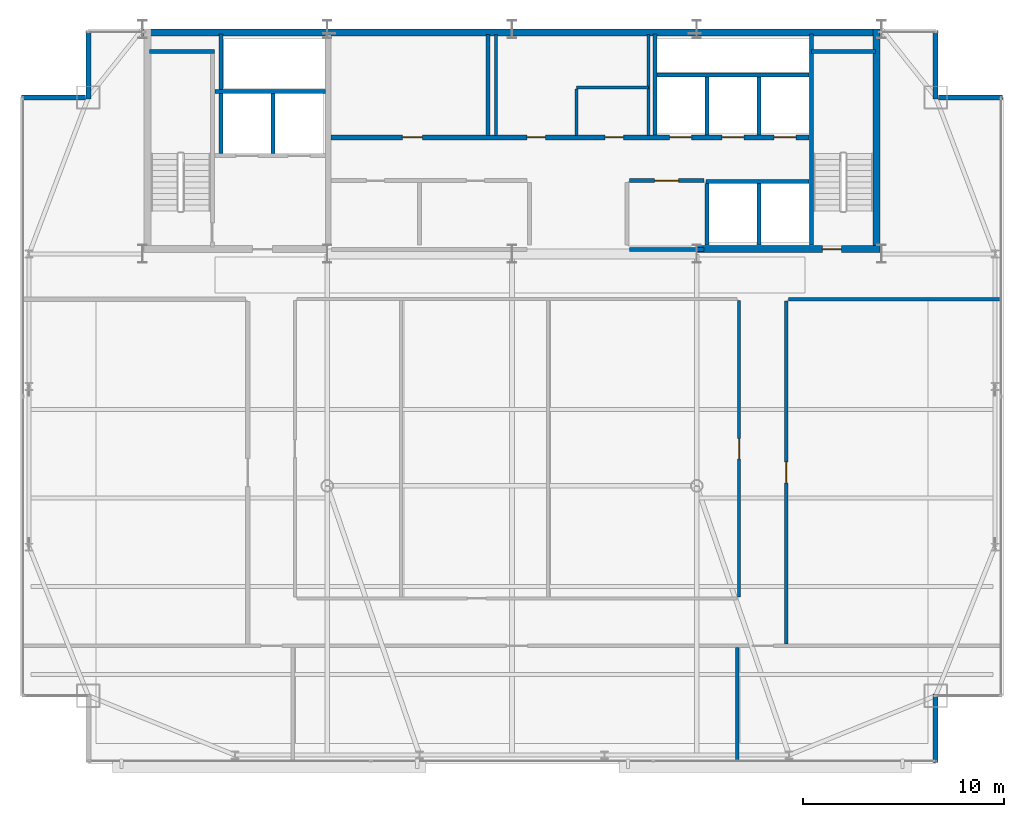
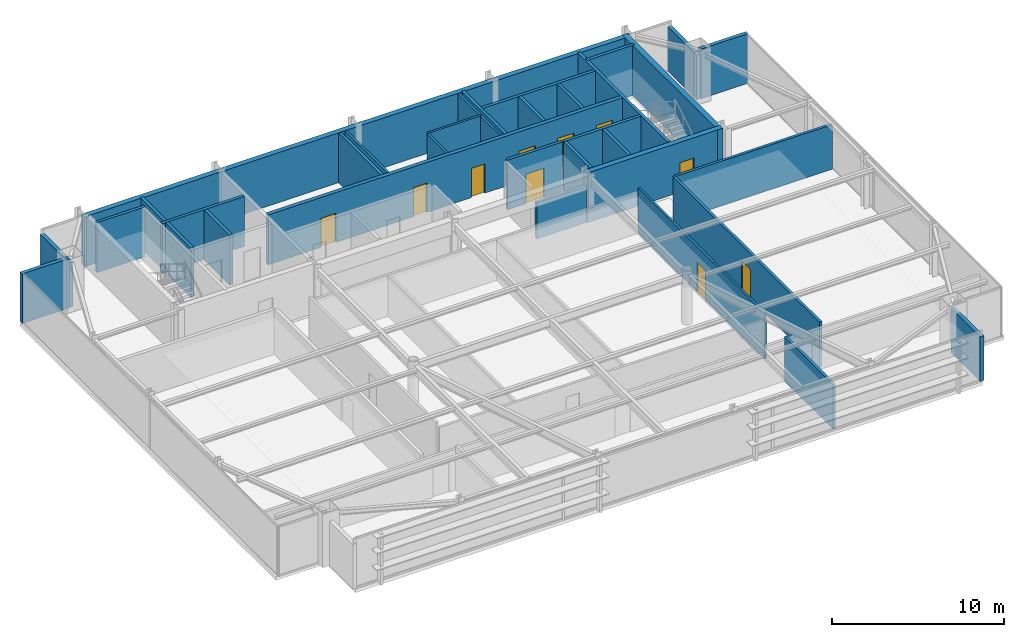
# One storey, part 23 of 25: 33 walls, 10 doors, 10 openings.
"""IFC4 building model written with IfcOpenShell, lengths in metres."""

from ifc_helpers import new_model, si_unit, direction, frame, frame_2d, origin, place, context, subcontext, project, spatial, rectangle, extrude, source, transform, mapped, material, layer, layer_set, type_object, type_shapes, element, fill, save


model = new_model("IFC4")

# Units and contexts
model_context = context("Model", 3, precision=1e-05, world=origin(), true_north=direction((0.0, 1.0)))
body_context = subcontext(model_context, "Body", "Model", "MODEL_VIEW")
ifc_project = project(units=[si_unit("LENGTHUNIT", "METRE"), si_unit("AREAUNIT", "SQUARE_METRE"), si_unit("VOLUMEUNIT", "CUBIC_METRE"), si_unit("PLANEANGLEUNIT", "RADIAN"), si_unit("MASSUNIT", "GRAM", prefix="KILO")], contexts=[model_context])

# Site, building, storey
site_placement = place(None, origin())
site = spatial("IfcSite", under=ifc_project, at=site_placement, CompositionType="ELEMENT")
building_placement = place(site_placement, origin())
building = spatial("IfcBuilding", under=site, at=building_placement, Name="Varnel Quay Broadcast Tower", CompositionType="ELEMENT")
storey_placement = place(building_placement, frame((0.0, 0.0, 226.39990234375)))
storey = spatial("IfcBuildingStorey", under=building, at=storey_placement, Name="L56", CompositionType="ELEMENT", Elevation=226.39990234375)

# Walls
ifc_material_1 = material(Name="Concrete CSA A23.3 C50/60", Category="concrete")
ifc_layer_1 = layer(ifc_material_1, 0.199951171875, Name="Concrete CSA A23.3 C50/60")
ifc_layer_set_1 = layer_set([ifc_layer_1], Name="Concrete CSA A23.3 C50/60")
wall_type_1 = type_object("IfcWallType", Name="Wall_CoreShaftShear200", PredefinedType="SHEAR", material=ifc_layer_set_1)
wall_1_placement = place(storey_placement, frame((15.949951171875, 45.679931640625, 0.0), z_axis=(0.0, 0.0, 1.0), x_axis=(1.0, 0.0, 0.0)))
element("IfcWall", 1, at=wall_1_placement, inside=storey, type_object=wall_type_1, Name="L56 Stair 1 North Structural Wall", PredefinedType="SHEAR", context=body_context, shape_type="SweptSolid", body=[
    extrude(rectangle(XDim=3.22998046875, YDim=0.199951171875, at=frame_2d((1.614990234375, 0.0))), origin(), (0.0, 0.0, 1.0), 3.550048828125),
])
wall_2_placement = place(storey_placement, frame((19.199951171875, 43.699951171875, 0.0), z_axis=(0.0, 0.0, 1.0), x_axis=(1.0, 0.0, 0.0)))
element("IfcWall", 2, at=wall_2_placement, inside=storey, type_object=wall_type_1, Name="L56 Firefighter Lift Shaft Rear Wall", PredefinedType="SHEAR", context=body_context, shape_type="SweptSolid", body=[
    extrude(rectangle(XDim=5.52001953125, YDim=0.199951171875, at=frame_2d((2.760009765625, 0.0))), origin(), (0.0, 0.0, 1.0), 3.550048828125),
])
wall_3_placement = place(storey_placement, frame((22.10009765625, 40.60009765625, 0.0), z_axis=(0.0, 0.0, 1.0), x_axis=(0.0, 1.0, 0.0)))
element("IfcWall", 3, at=wall_3_placement, inside=storey, type_object=wall_type_1, Name="L56 Firefighter Lift Shaft Divider", PredefinedType="SHEAR", context=body_context, shape_type="SweptSolid", body=[
    extrude(rectangle(XDim=3.0, YDim=0.199951171875, at=frame_2d((1.5, 0.0))), origin(), (0.0, 0.0, 1.0), 3.550048828125),
])
wall_4_placement = place(storey_placement, frame((19.5, 40.60009765625, 0.0), z_axis=(0.0, 0.0, 1.0), x_axis=(0.0, 1.0, 0.0)))
element("IfcWall", 4, at=wall_4_placement, inside=storey, type_object=wall_type_1, Name="L56 Firefighter Lift Shaft West Wall", PredefinedType="SHEAR", context=body_context, shape_type="SweptSolid", body=[
    extrude(rectangle(XDim=5.949951171875, YDim=0.199951171875, at=frame_2d((2.97509765625, 0.0))), origin(), (0.0, 0.0, 1.0), 3.550048828125),
])
wall_5_placement = place(storey_placement, frame((48.919921875, 36.050048828125, 0.0), z_axis=(0.0, 0.0, 1.0), x_axis=(0.0, 1.0, 0.0)))
element("IfcWall", 5, at=wall_5_placement, inside=storey, type_object=wall_type_1, Name="L56 Stair 2 West Structural Wall", PredefinedType="SHEAR", context=body_context, shape_type="SweptSolid", body=[
    extrude(rectangle(XDim=10.5, YDim=0.199951171875, at=frame_2d((5.25, 0.0))), origin(), (0.0, 0.0, 1.0), 3.550048828125),
])
wall_6_placement = place(storey_placement, frame((48.919921875, 45.679931640625, 0.0), z_axis=(0.0, 0.0, 1.0), x_axis=(1.0, 0.0, 0.0)))
element("IfcWall", 6, at=wall_6_placement, inside=storey, type_object=wall_type_1, Name="L56 Stair 2 North Structural Wall", PredefinedType="SHEAR", context=body_context, shape_type="SweptSolid", body=[
    extrude(rectangle(XDim=3.18017578125, YDim=0.199951171875, at=frame_2d((1.590087890625, 0.0))), origin(), (0.0, 0.0, 1.0), 3.550048828125),
])
wall_7_placement = place(storey_placement, frame((41.219970703125, 44.5, 0.0), z_axis=(0.0, 0.0, 1.0), x_axis=(1.0, 0.0, 0.0)))
element("IfcWall", 7, at=wall_7_placement, inside=storey, type_object=wall_type_1, Name="L56 High-Rise Lift Shaft Rear Wall", PredefinedType="SHEAR", context=body_context, shape_type="SweptSolid", body=[
    extrude(rectangle(XDim=7.580078125, YDim=0.199951171875, at=frame_2d((3.7900390625, 0.0))), origin(), (0.0, 0.0, 1.0), 3.550048828125),
])
wall_8_placement = place(storey_placement, frame((41.1201171875, 41.530029296875, 0.0), z_axis=(0.0, 0.0, 1.0), x_axis=(0.0, 1.0, 0.0)))
element("IfcWall", 8, at=wall_8_placement, inside=storey, type_object=wall_type_1, Name="L56 High-Rise Lift Shaft Divider 1", PredefinedType="SHEAR", context=body_context, shape_type="SweptSolid", body=[
    extrude(rectangle(XDim=5.02001953125, YDim=0.199951171875, at=frame_2d((2.510009765625, 0.0))), origin(), (0.0, 0.0, 1.0), 3.550048828125),
])
for number, where, z_axis, x_axis, name in (
    (9, (43.699951171875, 41.530029296875, 0.0), (0.0, 0.0, 1.0), (0.0, 1.0, 0.0), "L56 High-Rise Lift Shaft Divider 2"),
    (10, (46.300048828125, 41.530029296875, 0.0), (0.0, 0.0, 1.0), (0.0, 1.0, 0.0), "L56 High-Rise Lift Shaft Divider 3"),
):
    element("IfcWall", number, at=place(storey_placement, frame(where, z_axis=z_axis, x_axis=x_axis)), inside=storey, type_object=wall_type_1, Name=name, PredefinedType="SHEAR", context=body_context, shape_type="SweptSolid", body=[
        extrude(rectangle(XDim=2.869873046875, YDim=0.199951171875, at=frame_2d((1.43505859375, 0.0))), origin(), (0.0, 0.0, 1.0), 3.550048828125),
    ])
for number, where, z_axis, x_axis, name in (
    (11, (43.699951171875, 36.050048828125, 0.0), (0.0, 0.0, 1.0), (0.0, 1.0, 0.0), "L56 Express Lift Shaft West Wall"),
    (12, (46.300048828125, 36.050048828125, 0.0), (0.0, 0.0, 1.0), (0.0, 1.0, 0.0), "L56 Express Lift Shaft Divider"),
):
    element("IfcWall", number, at=place(storey_placement, frame(where, z_axis=z_axis, x_axis=x_axis)), inside=storey, type_object=wall_type_1, Name=name, PredefinedType="SHEAR", context=body_context, shape_type="SweptSolid", body=[
        extrude(rectangle(XDim=3.050048828125, YDim=0.199951171875, at=frame_2d((1.52490234375, 0.0))), origin(), (0.0, 0.0, 1.0), 3.550048828125),
    ])
wall_9_placement = place(storey_placement, frame((43.64990234375, 39.199951171875, 0.0), z_axis=(0.0, 0.0, 1.0), x_axis=(1.0, 0.0, 0.0)))
element("IfcWall", 13, at=wall_9_placement, inside=storey, type_object=wall_type_1, Name="L56 Express Lift Shaft North Front Wall", PredefinedType="SHEAR", context=body_context, shape_type="SweptSolid", body=[
    extrude(rectangle(XDim=5.150146484375, YDim=0.199951171875, at=frame_2d((2.5751953125, 0.0))), origin(), (0.0, 0.0, 1.0), 3.550048828125),
])

# Wall, openings, doors
ifc_layer_2 = layer(ifc_material_1, 0.25, Name="Concrete CSA A23.3 C50/60")
ifc_layer_set_2 = layer_set([ifc_layer_2], Name="Concrete CSA A23.3 C50/60")
wall_type_2 = type_object("IfcWallType", Name="Wall_CoreShaftShear250", PredefinedType="SHEAR", material=ifc_layer_set_2)
wall_10_placement = place(storey_placement, frame((24.97998046875, 41.39990234375, 0.0), z_axis=(0.0, 0.0, 1.0), x_axis=(1.0, 0.0, 0.0)))
wall_10 = element("IfcWall", 14, at=wall_10_placement, inside=storey, type_object=wall_type_2, Name="L56 North Lift Bank & Reclaimed Suite Wall", PredefinedType="SHEAR", context=body_context, shape_type="SweptSolid", body=[
    extrude(rectangle(XDim=23.820068359375, YDim=0.25, at=frame_2d((11.91015625, 0.0))), origin(), (0.0, 0.0, 1.0), 3.550048828125),
])
opening_1_placement = place(wall_10_placement, frame((16.8701171875, 0.0, 0.0)))
opening_1 = element("IfcOpeningElement", 15, at=opening_1_placement, cuts=wall_10, Name="Opening LD-L56-PH-01", PredefinedType="OPENING", context=body_context, shape_type="SweptSolid", body=[
    extrude(rectangle(XDim=1.10009765625, YDim=2.179931640625, at=frame_2d((0.550048828125, 1.08984375))), frame((0.0, 0.135009765625, 0.0), z_axis=(0.0, -1.0, 0.0), x_axis=(1.0, 0.0, 0.0)), (0.0, 0.0, 1.0), 0.27001953125),
])
opening_2_placement = place(wall_10_placement, frame((19.469970703125, 0.0, 0.0)))
opening_2 = element("IfcOpeningElement", 16, at=opening_2_placement, cuts=wall_10, Name="Opening LD-L56-PH-02", PredefinedType="OPENING", context=body_context, shape_type="SweptSolid", body=[
    extrude(rectangle(XDim=1.10009765625, YDim=2.179931640625, at=frame_2d((0.550048828125, 1.08984375))), frame((0.0, 0.135009765625, 0.0), z_axis=(0.0, -1.0, 0.0), x_axis=(1.0, 0.0, 0.0)), (0.0, 0.0, 1.0), 0.27001953125),
])
opening_3_placement = place(wall_10_placement, frame((22.070068359375, 0.0, 0.0)))
opening_3 = element("IfcOpeningElement", 17, at=opening_3_placement, cuts=wall_10, Name="Opening LD-L56-PH-03", PredefinedType="OPENING", context=body_context, shape_type="SweptSolid", body=[
    extrude(rectangle(XDim=1.10009765625, YDim=2.179931640625, at=frame_2d((0.550048828125, 1.08984375))), frame((0.0, 0.135009765625, 0.0), z_axis=(0.0, -1.0, 0.0), x_axis=(1.0, 0.0, 0.0)), (0.0, 0.0, 1.0), 0.27001953125),
])
opening_4_placement = place(wall_10_placement, frame((3.56005859375, 0.0, 0.0)))
opening_4 = element("IfcOpeningElement", 18, at=opening_4_placement, cuts=wall_10, Name="Opening D-L56-RECA1", PredefinedType="OPENING", context=body_context, shape_type="SweptSolid", body=[
    extrude(rectangle(XDim=1.0, YDim=2.080078125, at=frame_2d((0.5, 1.0400390625))), frame((0.0, 0.135009765625, 0.0), z_axis=(0.0, -1.0, 0.0), x_axis=(1.0, 0.0, 0.0)), (0.0, 0.0, 1.0), 0.27001953125),
])
opening_5_placement = place(wall_10_placement, frame((9.760009765625, 0.0, 0.0)))
opening_5 = element("IfcOpeningElement", 19, at=opening_5_placement, cuts=wall_10, Name="Opening D-L56-RECB1", PredefinedType="OPENING", context=body_context, shape_type="SweptSolid", body=[
    extrude(rectangle(XDim=0.919921875, YDim=2.080078125, at=frame_2d((0.4599609375, 1.0400390625))), frame((0.0, 0.135009765625, 0.0), z_axis=(0.0, -1.0, 0.0), x_axis=(1.0, 0.0, 0.0)), (0.0, 0.0, 1.0), 0.27001953125),
])
opening_6_placement = place(wall_10_placement, frame((13.659912109375, 0.0, 0.0)))
opening_6 = element("IfcOpeningElement", 20, at=opening_6_placement, cuts=wall_10, Name="Opening D-L56-RECB2", PredefinedType="OPENING", context=body_context, shape_type="SweptSolid", body=[
    extrude(rectangle(XDim=0.919921875, YDim=2.080078125, at=frame_2d((0.4599609375, 1.0400390625))), frame((0.0, 0.135009765625, 0.0), z_axis=(0.0, -1.0, 0.0), x_axis=(1.0, 0.0, 0.0)), (0.0, 0.0, 1.0), 0.27001953125),
])
ifc_material_2 = material(Name="Brushed Bronze-Stainless Lift Car & Sliding Doors", Category="steel")
door_type_1 = type_object("IfcDoorType", Name="Door_LiftLanding1100", OperationType="SLIDING_TO_LEFT", PredefinedType="DOOR", material=ifc_material_2)
shared_shape_1 = source(origin(), body_context, "Body", "SweptSolid", [
    extrude(rectangle(XDim=1.10009765625, YDim=2.179931640625, at=frame_2d((0.550048828125, 1.08984375))), frame((0.0, 0.02490234375, 0.0), z_axis=(0.0, -1.0, 0.0), x_axis=(1.0, 0.0, 0.0)), (0.0, 0.0, 1.0), 0.050048828125),
])
type_shapes(door_type_1, [shared_shape_1])
door_1_placement = place(opening_1_placement, frame((1.10009765625, 0.0, 0.0), z_axis=(0.0, 0.0, 1.0), x_axis=(-1.0, 0.0, 0.0)))
door_1 = element("IfcDoor", 21, at=door_1_placement, inside=storey, type_object=door_type_1, Name="L56 Lift PH-01 Landing Door", OperationType="SLIDING_TO_LEFT", OverallHeight=2.179931640625, OverallWidth=1.10009765625, PredefinedType="DOOR", context=body_context, shape_type="MappedRepresentation", body=[
    mapped(shared_shape_1, transform((0.0, 0.0, 0.0), x_axis=(1.0, 0.0, 0.0), y_axis=(0.0, 1.0, 0.0), z_axis=(0.0, 0.0, 1.0), scale=1.0)),
])
fill(opening_1, door_1)
door_2_placement = place(opening_2_placement, frame((1.10009765625, 0.0, 0.0), z_axis=(0.0, 0.0, 1.0), x_axis=(-1.0, 0.0, 0.0)))
door_2 = element("IfcDoor", 22, at=door_2_placement, inside=storey, type_object=door_type_1, Name="L56 Lift PH-02 Landing Door", OperationType="SLIDING_TO_LEFT", OverallHeight=2.179931640625, OverallWidth=1.10009765625, PredefinedType="DOOR", context=body_context, shape_type="MappedRepresentation", body=[
    mapped(shared_shape_1, transform((0.0, 0.0, 0.0), x_axis=(1.0, 0.0, 0.0), y_axis=(0.0, 1.0, 0.0), z_axis=(0.0, 0.0, 1.0), scale=1.0)),
])
fill(opening_2, door_2)
door_3_placement = place(opening_3_placement, frame((1.10009765625, 0.0, 0.0), z_axis=(0.0, 0.0, 1.0), x_axis=(-1.0, 0.0, 0.0)))
door_3 = element("IfcDoor", 23, at=door_3_placement, inside=storey, type_object=door_type_1, Name="L56 Lift PH-03 Landing Door", OperationType="SLIDING_TO_LEFT", OverallHeight=2.179931640625, OverallWidth=1.10009765625, PredefinedType="DOOR", context=body_context, shape_type="MappedRepresentation", body=[
    mapped(shared_shape_1, transform((0.0, 0.0, 0.0), x_axis=(1.0, 0.0, 0.0), y_axis=(0.0, 1.0, 0.0), z_axis=(0.0, 0.0, 1.0), scale=1.0)),
])
fill(opening_3, door_3)
ifc_material_3 = material(Name="Insulated Fire-Rated Hollow Steel Door", Category="steel")
door_type_2 = type_object("IfcDoorType", Name="Door_FireLobby1000", OperationType="NOTDEFINED", PredefinedType="DOOR", material=ifc_material_3)
shared_shape_2 = source(origin(), body_context, "Body", "SweptSolid", [
    extrude(rectangle(XDim=1.0, YDim=2.080078125, at=frame_2d((0.5, 1.0400390625))), frame((0.0, 0.02490234375, 0.0), z_axis=(0.0, -1.0, 0.0), x_axis=(1.0, 0.0, 0.0)), (0.0, 0.0, 1.0), 0.050048828125),
])
type_shapes(door_type_2, [shared_shape_2])
door_4_placement = place(opening_4_placement, origin())
door_4 = element("IfcDoor", 24, at=door_4_placement, inside=storey, type_object=door_type_2, Name="L56 Broadcast Ingest Server Hall Door", OperationType="SINGLE_SWING_LEFT", OverallHeight=2.080078125, OverallWidth=1.0, PredefinedType="DOOR", context=body_context, shape_type="MappedRepresentation", body=[
    mapped(shared_shape_2, transform((0.0, 0.0, 0.0), x_axis=(1.0, 0.0, 0.0), y_axis=(0.0, 1.0, 0.0), z_axis=(0.0, 0.0, 1.0), scale=1.0)),
])
fill(opening_4, door_4)
ifc_material_4 = material(Name="Solid-Core Fire-Rated Acoustic Oak Veneer Door", Category="wood")
door_type_3 = type_object("IfcDoorType", Name="Door_Office920", OperationType="NOTDEFINED", PredefinedType="DOOR", material=ifc_material_4)
shared_shape_3 = source(origin(), body_context, "Body", "SweptSolid", [
    extrude(rectangle(XDim=0.919921875, YDim=2.080078125, at=frame_2d((0.4599609375, 1.0400390625))), frame((0.0, 0.02490234375, 0.0), z_axis=(0.0, -1.0, 0.0), x_axis=(1.0, 0.0, 0.0)), (0.0, 0.0, 1.0), 0.050048828125),
])
type_shapes(door_type_3, [shared_shape_3])
door_5_placement = place(opening_5_placement, origin())
door_5 = element("IfcDoor", 25, at=door_5_placement, inside=storey, type_object=door_type_3, Name="L56 Acoustic Rack & Patch Suite Door", OperationType="SINGLE_SWING_RIGHT", OverallHeight=2.080078125, OverallWidth=0.919921875, PredefinedType="DOOR", context=body_context, shape_type="MappedRepresentation", body=[
    mapped(shared_shape_3, transform((0.0, 0.0, 0.0), x_axis=(1.0, 0.0, 0.0), y_axis=(0.0, 1.0, 0.0), z_axis=(0.0, 0.0, 1.0), scale=1.0)),
])
fill(opening_5, door_5)
door_6_placement = place(opening_6_placement, origin())
door_6 = element("IfcDoor", 26, at=door_6_placement, inside=storey, type_object=door_type_3, Name="L56 Production Tea Pantry Door", OperationType="SINGLE_SWING_LEFT", OverallHeight=2.080078125, OverallWidth=0.919921875, PredefinedType="DOOR", context=body_context, shape_type="MappedRepresentation", body=[
    mapped(shared_shape_3, transform((0.0, 0.0, 0.0), x_axis=(1.0, 0.0, 0.0), y_axis=(0.0, 1.0, 0.0), z_axis=(0.0, 0.0, 1.0), scale=1.0)),
])
fill(opening_6, door_6)

# Walls
ifc_layer_3 = layer(ifc_material_1, 0.35009765625, Name="Concrete CSA A23.3 C50/60")
ifc_layer_set_3 = layer_set([ifc_layer_3], Name="Concrete CSA A23.3 C50/60")
wall_type_3 = type_object("IfcWallType", Name="Wall_CoreShearExt350", PredefinedType="SHEAR", material=ifc_layer_set_3)
wall_11_placement = place(storey_placement, frame((15.60009765625, 46.625, 0.0), z_axis=(0.0, 0.0, 1.0), x_axis=(1.0, 0.0, 0.0)))
element("IfcWall", 27, at=wall_11_placement, inside=storey, type_object=wall_type_3, Name="L56 North Core Shear Wall", PredefinedType="SHEAR", context=body_context, shape_type="SweptSolid", body=[
    extrude(rectangle(XDim=36.7998046875, YDim=0.35009765625, at=frame_2d((18.39990234375, 0.0))), origin(), (0.0, 0.0, 1.0), 3.550048828125),
])
ifc_layer_4 = layer(ifc_material_1, 0.35009765625, Name="Concrete CSA A23.3 C50/60")
ifc_layer_set_4 = layer_set([ifc_layer_4], Name="Concrete CSA A23.3 C50/60")
wall_type_4 = type_object("IfcWallType", Name="Wall_CoreShearInt350", PredefinedType="SHEAR", material=ifc_layer_set_4)
wall_12_placement = place(storey_placement, frame((52.155029296875, 35.669921875, 0.0), z_axis=(0.0, 0.0, 1.0), x_axis=(0.0, 1.0, 0.0)))
element("IfcWall", 28, at=wall_12_placement, inside=storey, type_object=wall_type_4, Name="L56 East Core Shear Wall", PredefinedType="SHEAR", context=body_context, shape_type="SweptSolid", body=[
    extrude(rectangle(XDim=11.130126953125, YDim=0.35009765625, at=frame_2d((5.56494140625, 0.0))), origin(), (0.0, 0.0, 1.0), 3.550048828125),
])

# Wall, opening, door
wall_13_placement = place(storey_placement, frame((43.199951171875, 35.844970703125, 0.0), z_axis=(0.0, 0.0, 1.0), x_axis=(1.0, 0.0, 0.0)))
wall_13 = element("IfcWall", 29, at=wall_13_placement, inside=storey, type_object=wall_type_4, Name="L56 South-East Core Shear Wall", PredefinedType="SHEAR", context=body_context, shape_type="SweptSolid", body=[
    extrude(rectangle(XDim=9.130126953125, YDim=0.35009765625, at=frame_2d((4.56494140625, 0.0))), origin(), (0.0, 0.0, 1.0), 3.550048828125),
])
opening_7_placement = place(wall_13_placement, frame((6.25, 0.0, 0.0)))
opening_7 = element("IfcOpeningElement", 30, at=opening_7_placement, cuts=wall_13, Name="Opening D-L56-S2", PredefinedType="OPENING", context=body_context, shape_type="SweptSolid", body=[
    extrude(rectangle(XDim=0.949951171875, YDim=2.10009765625, at=frame_2d((0.47509765625, 1.050048828125))), frame((0.0, 0.18505859375, 0.0), z_axis=(0.0, -1.0, 0.0), x_axis=(1.0, 0.0, 0.0)), (0.0, 0.0, 1.0), 0.3701171875),
])
door_type_4 = type_object("IfcDoorType", Name="Door_FireStair950", OperationType="NOTDEFINED", PredefinedType="DOOR", material=ifc_material_3)
shared_shape_4 = source(origin(), body_context, "Body", "SweptSolid", [
    extrude(rectangle(XDim=0.949951171875, YDim=2.10009765625, at=frame_2d((0.47509765625, 1.050048828125))), frame((0.0, 0.02490234375, 0.0), z_axis=(0.0, -1.0, 0.0), x_axis=(1.0, 0.0, 0.0)), (0.0, 0.0, 1.0), 0.050048828125),
])
type_shapes(door_type_4, [shared_shape_4])
door_7_placement = place(opening_7_placement, origin())
door_7 = element("IfcDoor", 31, at=door_7_placement, inside=storey, type_object=door_type_4, Name="L56 Stair 2 Fire Door", OperationType="SINGLE_SWING_RIGHT", OverallHeight=2.10009765625, OverallWidth=0.949951171875, PredefinedType="DOOR", context=body_context, shape_type="MappedRepresentation", body=[
    mapped(shared_shape_4, transform((0.0, 0.0, 0.0), x_axis=(1.0, 0.0, 0.0), y_axis=(0.0, 1.0, 0.0), z_axis=(0.0, 0.0, 1.0), scale=1.0)),
])
fill(opening_7, door_7)

# Walls
ifc_material_5 = material(Name="Precast Architectural Concrete C40/50", Category="concrete")
ifc_layer_5 = layer(ifc_material_5, 0.25, Name="Precast Architectural Concrete C40/50")
ifc_layer_set_5 = layer_set([ifc_layer_5], Name="Precast Architectural Concrete C40/50")
wall_type_5 = type_object("IfcWallType", Name="Wall_ExtTerrace250", PredefinedType="SOLIDWALL", material=ifc_layer_set_5)
wall_14_placement = place(storey_placement, frame((55.10009765625, 10.280029296875, 0.0), z_axis=(0.0, 0.0, 1.0), x_axis=(0.0, 1.0, 0.0)))
element("IfcWall", 32, at=wall_14_placement, inside=storey, type_object=wall_type_5, Name="L56 Mega-Column Notch Cladding Wall NSE2", PredefinedType="SOLIDWALL", context=body_context, shape_type="SweptSolid", body=[
    extrude(rectangle(XDim=3.39990234375, YDim=0.25, at=frame_2d((1.699951171875, 0.0))), origin(), (0.0, 0.0, 1.0), 3.171142578125),
])
wall_15_placement = place(storey_placement, frame((9.580078125, 43.39990234375, 0.0), z_axis=(0.0, 0.0, 1.0), x_axis=(1.0, 0.0, 0.0)))
element("IfcWall", 33, at=wall_15_placement, inside=storey, type_object=wall_type_5, Name="L56 Mega-Column Notch Cladding Wall NNW1", PredefinedType="SOLIDWALL", context=body_context, shape_type="SweptSolid", body=[
    extrude(rectangle(XDim=3.18994140625, YDim=0.25, at=frame_2d((1.594970703125, 0.0))), origin(), (0.0, 0.0, 1.0), 3.530029296875),
])
wall_16_placement = place(storey_placement, frame((12.89990234375, 43.320068359375, 0.0), z_axis=(0.0, 0.0, 1.0), x_axis=(0.0, 1.0, 0.0)))
element("IfcWall", 34, at=wall_16_placement, inside=storey, type_object=wall_type_5, Name="L56 Mega-Column Notch Cladding Wall NNW2", PredefinedType="SOLIDWALL", context=body_context, shape_type="SweptSolid", body=[
    extrude(rectangle(XDim=3.39990234375, YDim=0.25, at=frame_2d((1.699951171875, 0.0))), origin(), (0.0, 0.0, 1.0), 3.171142578125),
])
wall_17_placement = place(storey_placement, frame((55.22998046875, 43.39990234375, 0.0), z_axis=(0.0, 0.0, 1.0), x_axis=(1.0, 0.0, 0.0)))
element("IfcWall", 35, at=wall_17_placement, inside=storey, type_object=wall_type_5, Name="L56 Mega-Column Notch Cladding Wall NNE1", PredefinedType="SOLIDWALL", context=body_context, shape_type="SweptSolid", body=[
    extrude(rectangle(XDim=3.18994140625, YDim=0.25, at=frame_2d((1.594970703125, 0.0))), origin(), (0.0, 0.0, 1.0), 3.530029296875),
])
wall_18_placement = place(storey_placement, frame((55.10009765625, 43.320068359375, 0.0), z_axis=(0.0, 0.0, 1.0), x_axis=(0.0, 1.0, 0.0)))
element("IfcWall", 36, at=wall_18_placement, inside=storey, type_object=wall_type_5, Name="L56 Mega-Column Notch Cladding Wall NNE2", PredefinedType="SOLIDWALL", context=body_context, shape_type="SweptSolid", body=[
    extrude(rectangle(XDim=3.39990234375, YDim=0.25, at=frame_2d((1.699951171875, 0.0))), origin(), (0.0, 0.0, 1.0), 3.171142578125),
])
ifc_material_6 = material(Name="Concrete Blockwork Fire Enclosure C40/50", Category="masonry")
ifc_layer_6 = layer(ifc_material_6, 0.199951171875, Name="Concrete Blockwork Fire Enclosure C40/50")
ifc_layer_set_6 = layer_set([ifc_layer_6], Name="Concrete Blockwork Fire Enclosure C40/50")
wall_type_6 = type_object("IfcWallType", Name="Wall_FireShaft200", PredefinedType="SOLIDWALL", material=ifc_layer_set_6)
wall_19_placement = place(storey_placement, frame((39.85009765625, 35.824951171875, 0.0), z_axis=(0.0, 0.0, 1.0), x_axis=(1.0, 0.0, 0.0)))
element("IfcWall", 37, at=wall_19_placement, inside=storey, type_object=wall_type_6, Name="L56 Electrical Sub-Distribution Closet Partition 5", PredefinedType="SOLIDWALL", context=body_context, shape_type="SweptSolid", body=[
    extrude(rectangle(XDim=3.699951171875, YDim=0.199951171875, at=frame_2d((1.85009765625, 0.0))), origin(), (0.0, 0.0, 1.0), 2.5751953125),
])

# Wall, opening, door
wall_20_placement = place(storey_placement, frame((39.85009765625, 39.25, 0.0), z_axis=(0.0, 0.0, 1.0), x_axis=(1.0, 0.0, 0.0)))
wall_20 = element("IfcWall", 38, at=wall_20_placement, inside=storey, type_object=wall_type_6, Name="L56 Electrical Sub-Distribution Closet Partition 6", PredefinedType="SOLIDWALL", context=body_context, shape_type="SweptSolid", body=[
    extrude(rectangle(XDim=3.699951171875, YDim=0.199951171875, at=frame_2d((1.85009765625, 0.0))), origin(), (0.0, 0.0, 1.0), 3.530029296875),
])
opening_8_placement = place(wall_20_placement, frame((1.25, 0.0, 0.0)))
opening_8 = element("IfcOpeningElement", 39, at=opening_8_placement, cuts=wall_20, Name="Opening D-L56-03", PredefinedType="OPENING", context=body_context, shape_type="SweptSolid", body=[
    extrude(rectangle(XDim=1.199951171875, YDim=2.10009765625, at=frame_2d((0.60009765625, 1.050048828125))), frame((0.0, 0.10986328125, 0.0), z_axis=(0.0, -1.0, 0.0), x_axis=(1.0, 0.0, 0.0)), (0.0, 0.0, 1.0), 0.219970703125),
])
door_type_5 = type_object("IfcDoorType", Name="Door_Plant1200", OperationType="NOTDEFINED", PredefinedType="DOOR", material=ifc_material_3)
shared_shape_5 = source(origin(), body_context, "Body", "SweptSolid", [
    extrude(rectangle(XDim=1.199951171875, YDim=2.10009765625, at=frame_2d((0.60009765625, 1.050048828125))), frame((0.0, 0.02490234375, 0.0), z_axis=(0.0, -1.0, 0.0), x_axis=(1.0, 0.0, 0.0)), (0.0, 0.0, 1.0), 0.050048828125),
])
type_shapes(door_type_5, [shared_shape_5])
door_8_placement = place(opening_8_placement, origin())
door_8 = element("IfcDoor", 40, at=door_8_placement, inside=storey, type_object=door_type_5, Name="L56 Electrical Sub-Distribution Closet Door D-L56-03", OperationType="SINGLE_SWING_RIGHT", OverallHeight=2.10009765625, OverallWidth=1.199951171875, PredefinedType="DOOR", context=body_context, shape_type="MappedRepresentation", body=[
    mapped(shared_shape_5, transform((0.0, 0.0, 0.0), x_axis=(1.0, 0.0, 0.0), y_axis=(0.0, 1.0, 0.0), z_axis=(0.0, 0.0, 1.0), scale=1.0)),
])
fill(opening_8, door_8)

# Wall
wall_21_placement = place(storey_placement, frame((32.800048828125, 41.5, 0.0), z_axis=(0.0, 0.0, 1.0), x_axis=(0.0, 1.0, 0.0)))
element("IfcWall", 41, at=wall_21_placement, inside=storey, type_object=wall_type_6, Name="L56 Broadcast Ingest Server Hall Partition 21", PredefinedType="SOLIDWALL", context=body_context, shape_type="SweptSolid", body=[
    extrude(rectangle(XDim=5.02001953125, YDim=0.199951171875, at=frame_2d((2.510009765625, 0.0))), origin(), (0.0, 0.0, 1.0), 3.530029296875),
])

# Wall, opening, door
ifc_material_7 = material(Name="Steel-Stud Fire-Rated Acoustic Gypsum Partition Assembly", Category="steel")
ifc_layer_7 = layer(ifc_material_7, 0.139892578125, Name="Steel-Stud Fire-Rated Acoustic Gypsum Partition Assembly")
ifc_layer_set_7 = layer_set([ifc_layer_7], Name="Steel-Stud Fire-Rated Acoustic Gypsum Partition Assembly")
wall_type_7 = type_object("IfcWallType", Name="Wall_Partition140", PredefinedType="PARTITIONING", material=ifc_layer_set_7)
wall_22_placement = place(storey_placement, frame((45.31005859375, 18.52490234375, 0.0), z_axis=(0.0, 0.0, 1.0), x_axis=(0.0, 1.0, 0.0)))
wall_22 = element("IfcWall", 42, at=wall_22_placement, inside=storey, type_object=wall_type_7, Name="L56 Reading Lounge 7 Partition 18", PredefinedType="PARTITIONING", context=body_context, shape_type="SweptSolid", body=[
    extrude(rectangle(XDim=14.75, YDim=0.139892578125, at=frame_2d((7.375, 0.0))), origin(), (0.0, 0.0, 1.0), 3.22216796875),
])
opening_9_placement = place(wall_22_placement, frame((6.875, 0.0, 0.0)))
opening_9 = element("IfcOpeningElement", 43, at=opening_9_placement, cuts=wall_22, Name="Opening D-L56-10", PredefinedType="OPENING", context=body_context, shape_type="SweptSolid", body=[
    extrude(rectangle(XDim=1.0, YDim=2.10009765625, at=frame_2d((0.5, 1.050048828125))), frame((0.0, 0.080078125, 0.0), z_axis=(0.0, -1.0, 0.0), x_axis=(1.0, 0.0, 0.0)), (0.0, 0.0, 1.0), 0.159912109375),
])
door_type_6 = type_object("IfcDoorType", Name="Door_Exec1000", OperationType="NOTDEFINED", PredefinedType="DOOR", material=ifc_material_4)
shared_shape_6 = source(origin(), body_context, "Body", "SweptSolid", [
    extrude(rectangle(XDim=1.0, YDim=2.10009765625, at=frame_2d((0.5, 1.050048828125))), frame((0.0, 0.02490234375, 0.0), z_axis=(0.0, -1.0, 0.0), x_axis=(1.0, 0.0, 0.0)), (0.0, 0.0, 1.0), 0.050048828125),
])
type_shapes(door_type_6, [shared_shape_6])
door_9_placement = place(opening_9_placement, origin())
door_9 = element("IfcDoor", 44, at=door_9_placement, inside=storey, type_object=door_type_6, Name="L56 Reading Lounge 7 Door D-L56-10", OperationType="SINGLE_SWING_RIGHT", OverallHeight=2.10009765625, OverallWidth=1.0, PredefinedType="DOOR", context=body_context, shape_type="MappedRepresentation", body=[
    mapped(shared_shape_6, transform((0.0, 0.0, 0.0), x_axis=(1.0, 0.0, 0.0), y_axis=(0.0, 1.0, 0.0), z_axis=(0.0, 0.0, 1.0), scale=1.0)),
])
fill(opening_9, door_9)

# Walls
ifc_layer_8 = layer(ifc_material_7, 0.14990234375, Name="Steel-Stud Fire-Rated Acoustic Gypsum Partition Assembly")
ifc_layer_set_8 = layer_set([ifc_layer_8], Name="Steel-Stud Fire-Rated Acoustic Gypsum Partition Assembly")
wall_type_8 = type_object("IfcWallType", Name="Wall_Partition150", PredefinedType="PARTITIONING", material=ifc_layer_set_8)
wall_23_placement = place(storey_placement, frame((37.199951171875, 41.5, 0.0), z_axis=(0.0, 0.0, 1.0), x_axis=(0.0, 1.0, 0.0)))
element("IfcWall", 45, at=wall_23_placement, inside=storey, type_object=wall_type_8, Name="L56 Acoustic Rack & Patch Suite Partition 22", PredefinedType="PARTITIONING", context=body_context, shape_type="SweptSolid", body=[
    extrude(rectangle(XDim=2.324951171875, YDim=0.14990234375, at=frame_2d((1.16259765625, 0.0))), origin(), (0.0, 0.0, 1.0), 3.530029296875),
])
wall_24_placement = place(storey_placement, frame((37.199951171875, 43.89990234375, 0.0), z_axis=(0.0, 0.0, 1.0), x_axis=(1.0, 0.0, 0.0)))
element("IfcWall", 46, at=wall_24_placement, inside=storey, type_object=wall_type_8, Name="L56 Acoustic Rack & Patch Suite Partition 23", PredefinedType="PARTITIONING", context=body_context, shape_type="SweptSolid", body=[
    extrude(rectangle(XDim=3.60009765625, YDim=0.14990234375, at=frame_2d((1.800048828125, 0.0))), origin(), (0.0, 0.0, 1.0), 3.530029296875),
])
for number, where, z_axis, x_axis, name in (
    (47, (40.800048828125, 41.5, 0.0), (0.0, 0.0, 1.0), (0.0, 1.0, 0.0), "L56 Acoustic Rack & Patch Suite Partition 24"),
    (48, (33.199951171875, 41.5, 0.0), (0.0, 0.0, 1.0), (0.0, 1.0, 0.0), "L56 Acoustic Rack & Patch Suite Partition 25"),
):
    element("IfcWall", number, at=place(storey_placement, frame(where, z_axis=z_axis, x_axis=x_axis)), inside=storey, type_object=wall_type_8, Name=name, PredefinedType="PARTITIONING", context=body_context, shape_type="SweptSolid", body=[
        extrude(rectangle(XDim=5.02001953125, YDim=0.14990234375, at=frame_2d((2.510009765625, 0.0))), origin(), (0.0, 0.0, 1.0), 3.530029296875),
    ])
ifc_layer_9 = layer(ifc_material_7, 0.175048828125, Name="Steel-Stud Fire-Rated Acoustic Gypsum Partition Assembly")
ifc_layer_set_9 = layer_set([ifc_layer_9], Name="Steel-Stud Fire-Rated Acoustic Gypsum Partition Assembly")
wall_type_9 = type_object("IfcWallType", Name="Wall_Partition175", PredefinedType="PARTITIONING", material=ifc_layer_set_9)
wall_25_placement = place(storey_placement, frame((45.2099609375, 10.3798828125, 0.0), z_axis=(0.0, 0.0, 1.0), x_axis=(0.0, 1.0, 0.0)))
element("IfcWall", 49, at=wall_25_placement, inside=storey, type_object=wall_type_9, Name="L56 Press Briefing Room 2 Partition 10", PredefinedType="PARTITIONING", context=body_context, shape_type="SweptSolid", body=[
    extrude(rectangle(XDim=5.633056640625, YDim=0.175048828125, at=frame_2d((2.81640625, 0.0))), origin(), (0.0, 0.0, 1.0), 3.171142578125),
])
wall_26_placement = place(storey_placement, frame((47.760009765625, 33.35009765625, 0.0), z_axis=(0.0, 0.0, 1.0), x_axis=(1.0, 0.0, 0.0)))
element("IfcWall", 50, at=wall_26_placement, inside=storey, type_object=wall_type_9, Name="L56 Broadcast Seminar Room 8 Partition 19", PredefinedType="PARTITIONING", context=body_context, shape_type="SweptSolid", body=[
    extrude(rectangle(XDim=10.56005859375, YDim=0.175048828125, at=frame_2d((5.280029296875, 0.0))), origin(), (0.0, 0.0, 1.0), 3.171142578125),
])

# Wall, opening, door
wall_27_placement = place(storey_placement, frame((47.659912109375, 16.18798828125, 0.0), z_axis=(0.0, 0.0, 1.0), x_axis=(0.0, 1.0, 0.0)))
wall_27 = element("IfcWall", 51, at=wall_27_placement, inside=storey, type_object=wall_type_9, Name="L56 Broadcast Seminar Room 8 Partition 20", PredefinedType="PARTITIONING", context=body_context, shape_type="SweptSolid", body=[
    extrude(rectangle(XDim=17.074951171875, YDim=0.175048828125, at=frame_2d((8.53759765625, 0.0))), origin(), (0.0, 0.0, 1.0), 3.22216796875),
])
opening_10_placement = place(wall_27_placement, frame((8.011962890625, 0.0, 0.0)))
opening_10 = element("IfcOpeningElement", 52, at=opening_10_placement, cuts=wall_27, Name="Opening D-L56-11", PredefinedType="OPENING", context=body_context, shape_type="SweptSolid", body=[
    extrude(rectangle(XDim=1.050048828125, YDim=2.10009765625, at=frame_2d((0.52490234375, 1.050048828125))), frame((0.0, 0.09765625, 0.0), z_axis=(0.0, -1.0, 0.0), x_axis=(1.0, 0.0, 0.0)), (0.0, 0.0, 1.0), 0.195068359375),
])
door_type_7 = type_object("IfcDoorType", Name="Door_Meeting1050", OperationType="NOTDEFINED", PredefinedType="DOOR", material=ifc_material_4)
shared_shape_7 = source(origin(), body_context, "Body", "SweptSolid", [
    extrude(rectangle(XDim=1.050048828125, YDim=2.10009765625, at=frame_2d((0.52490234375, 1.050048828125))), frame((0.0, 0.02490234375, 0.0), z_axis=(0.0, -1.0, 0.0), x_axis=(1.0, 0.0, 0.0)), (0.0, 0.0, 1.0), 0.050048828125),
])
type_shapes(door_type_7, [shared_shape_7])
door_10_placement = place(opening_10_placement, frame((1.050048828125, 0.0, 0.0), z_axis=(0.0, 0.0, 1.0), x_axis=(-1.0, 0.0, 0.0)))
door_10 = element("IfcDoor", 53, at=door_10_placement, inside=storey, type_object=door_type_7, Name="L56 Broadcast Seminar Room 8 Door D-L56-11", OperationType="SINGLE_SWING_LEFT", OverallHeight=2.10009765625, OverallWidth=1.050048828125, PredefinedType="DOOR", context=body_context, shape_type="MappedRepresentation", body=[
    mapped(shared_shape_7, transform((0.0, 0.0, 0.0), x_axis=(1.0, 0.0, 0.0), y_axis=(0.0, 1.0, 0.0), z_axis=(0.0, 0.0, 1.0), scale=1.0)),
])
fill(opening_10, door_10)

save(model, "model.ifc")
